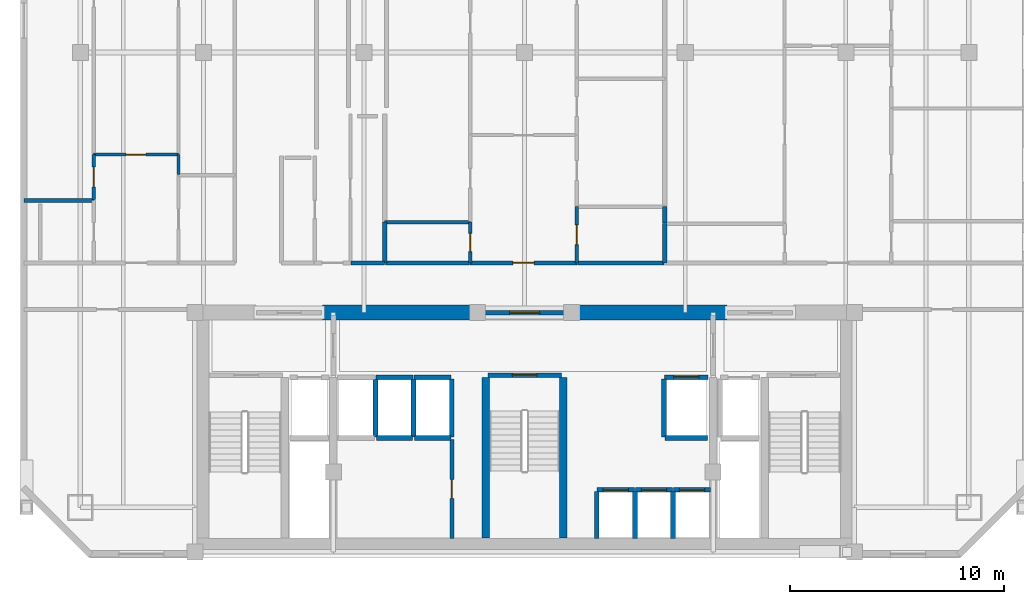
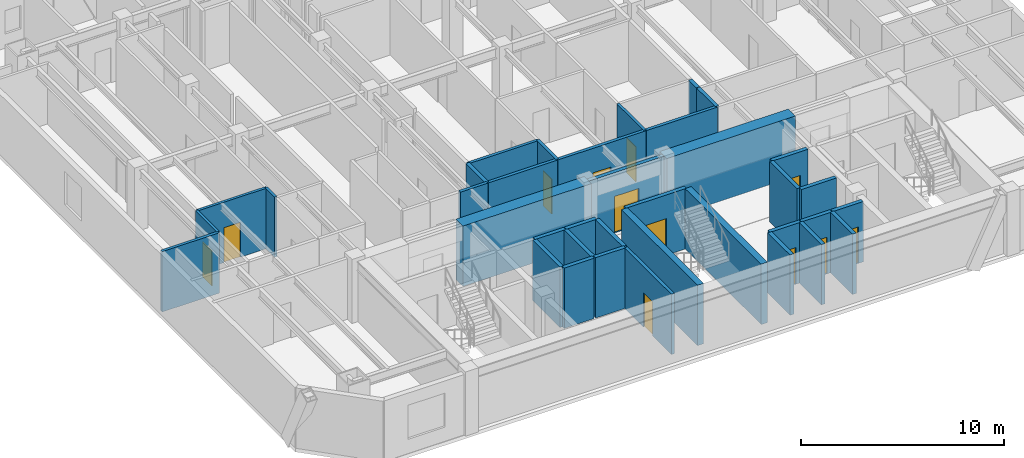
# One storey, part 3 of 8: 37 walls, 12 doors, 12 openings.
"""IFC4 building model written with IfcOpenShell, lengths in metres."""

from ifc_helpers import new_model, si_unit, direction, frame, frame_2d, origin, place, context, subcontext, project, spatial, rectangle, extrude, material, layer, layer_set, type_object, element, fill, save


model = new_model("IFC4")

# Units and contexts
model_context = context("Model", 3, precision=1e-05, world=origin(), true_north=direction((0.0, 1.0)))
body_context = subcontext(model_context, "Body", "Model", "MODEL_VIEW")
ifc_project = project(units=[si_unit("LENGTHUNIT", "METRE"), si_unit("AREAUNIT", "SQUARE_METRE"), si_unit("VOLUMEUNIT", "CUBIC_METRE"), si_unit("PLANEANGLEUNIT", "RADIAN"), si_unit("MASSUNIT", "GRAM", prefix="KILO")], contexts=[model_context])

# Site, building, storey
site_placement = place(None, origin())
site = spatial("IfcSite", under=ifc_project, at=site_placement, CompositionType="ELEMENT")
building_placement = place(site_placement, origin())
building = spatial("IfcBuilding", under=site, at=building_placement, Name="Ventersveld Concourse Tower", CompositionType="ELEMENT")
storey_placement = place(building_placement, frame((0.0, 0.0, 183.699951171875)))
storey = spatial("IfcBuildingStorey", under=building, at=storey_placement, Name="L45", CompositionType="ELEMENT", Elevation=183.699951171875)

# Walls
ifc_material_1 = material(Name="Concrete C60/75", Category="concrete")
ifc_layer_1 = layer(ifc_material_1, 0.35009765625)
ifc_layer_set_1 = layer_set([ifc_layer_1], Name="Concrete C60/75")
wall_type_1 = type_object("IfcWallType", Name="WL-CORE-350L", PredefinedType="SHEAR", material=ifc_layer_set_1)
for number, where, z_axis, x_axis, name in (
    (1, (26.93994140625, 0.919921875, 0.0), (0.0, 0.0, 1.0), (0.0, 1.0, 0.0), "L45 Core Internal Shear Web W-ST3-W"),
    (2, (30.56005859375, 0.919921875, 0.0), (0.0, 0.0, 1.0), (0.0, 1.0, 0.0), "L45 Core Internal Shear Web W-ST3-E"),
):
    element("IfcWall", number, at=place(storey_placement, frame(where, z_axis=z_axis, x_axis=x_axis)), inside=storey, type_object=wall_type_1, Name=name, PredefinedType="SHEAR", context=body_context, shape_type="SweptSolid", body=[
        extrude(rectangle(XDim=7.5, YDim=0.35009765625, at=frame_2d((3.75, 0.0))), origin(), (0.0, 0.0, 1.0), 3.630126953125),
    ])
ifc_layer_2 = layer(ifc_material_1, 0.699951171875)
ifc_layer_set_2 = layer_set([ifc_layer_2], Name="Concrete C60/75")
wall_type_2 = type_object("IfcWallType", Name="WL-CORE-700", PredefinedType="SHEAR", material=ifc_layer_set_2)
for number, where, z_axis, x_axis, name in (
    (3, (19.300048828125, 11.449951171875, 0.0), (0.0, 0.0, 1.0), (1.0, 0.0, 0.0), "L45 Rear Core North Shear Wall NML"),
    (4, (30.89990234375, 11.449951171875, 0.0), (0.0, 0.0, 1.0), (1.0, 0.0, 0.0), "L45 Rear Core North Shear Wall NMR"),
):
    element("IfcWall", number, at=place(storey_placement, frame(where, z_axis=z_axis, x_axis=x_axis)), inside=storey, type_object=wall_type_2, Name=name, PredefinedType="SHEAR", context=body_context, shape_type="SweptSolid", body=[
        extrude(rectangle(XDim=7.300048828125, YDim=0.699951171875, at=frame_2d((3.64990234375, 0.0))), origin(), (0.0, 0.0, 1.0), 3.630126953125),
    ])

# Wall, opening, door
ifc_material_2 = material(Name="Fire-rated autoclaved aerated masonry blockwork", Category="masonry")
ifc_layer_3 = layer(ifc_material_2, 0.179931640625)
ifc_layer_set_3 = layer_set([ifc_layer_3], Name="Fire-rated autoclaved aerated masonry blockwork")
wall_type_3 = type_object("IfcWallType", Name="WL-CORR-180", PredefinedType="PARTITIONING", material=ifc_layer_set_3)
wall_1_placement = place(storey_placement, frame((25.35009765625, 0.89990234375, 0.0), z_axis=(0.0, 0.0, 1.0), x_axis=(0.0, 1.0, 0.0)))
wall_1 = element("IfcWall", 5, at=wall_1_placement, inside=storey, type_object=wall_type_3, Name="L45 Core Passage Wall SP-L45-RECB1A", PredefinedType="PARTITIONING", context=body_context, shape_type="SweptSolid", body=[
    extrude(rectangle(XDim=4.6201171875, YDim=0.179931640625, at=frame_2d((2.31005859375, 0.0))), origin(), (0.0, 0.0, 1.0), 3.630126953125),
])
opening_1_placement = place(wall_1_placement, frame((1.8701171875, 0.0, 0.0)))
opening_1 = element("IfcOpeningElement", 6, at=opening_1_placement, cuts=wall_1, Name="Opening FD5", PredefinedType="OPENING", context=body_context, shape_type="SweptSolid", body=[
    extrude(rectangle(XDim=0.8798828125, YDim=2.050048828125, at=frame_2d((0.43994140625, 1.02490234375))), frame((0.0, 0.10009765625, 0.0), z_axis=(0.0, -1.0, 0.0), x_axis=(1.0, 0.0, 0.0)), (0.0, 0.0, 1.0), 0.199951171875),
])
ifc_material_3 = material(Name="Galvanised painted steel", Category="steel")
door_type_1 = type_object("IfcDoorType", Name="DR-RISER-088", OperationType="NOTDEFINED", PredefinedType="DOOR", material=ifc_material_3)
door_1_placement = place(opening_1_placement, origin())
door_1 = element("IfcDoor", 7, at=door_1_placement, inside=storey, type_object=door_type_1, Name="L45 Core Room Door L45 Reclaimed Core Meeting Pod (CD-L45-2201)", OperationType="SINGLE_SWING_RIGHT", OverallHeight=2.050048828125, OverallWidth=0.8798828125, PredefinedType="DOOR", context=body_context, shape_type="SweptSolid", body=[
    extrude(rectangle(XDim=0.8798828125, YDim=2.050048828125, at=frame_2d((0.43994140625, 1.02490234375))), frame((0.0, 0.02490234375, 0.0), z_axis=(0.0, -1.0, 0.0), x_axis=(1.0, 0.0, 0.0)), (0.0, 0.0, 1.0), 0.050048828125),
])
fill(opening_1, door_1)

# Wall
wall_2_placement = place(storey_placement, frame((20.64501953125, 13.77001953125, 0.0), z_axis=(0.0, 0.0, 1.0), x_axis=(1.0, 0.0, 0.0)))
element("IfcWall", 8, at=wall_2_placement, inside=storey, type_object=wall_type_3, Name="L45 Interior Partition SP-L45-COR-SP-L45-45CW-KIT", PredefinedType="PARTITIONING", context=body_context, shape_type="SweptSolid", body=[
    extrude(rectangle(XDim=1.570068359375, YDim=0.179931640625, at=frame_2d((0.78515625, 0.0))), origin(), (0.0, 0.0, 1.0), 3.630126953125),
])

# Wall, opening, door
wall_3_placement = place(storey_placement, frame((26.201416015625, 13.77001953125, 0.0), z_axis=(0.0, 0.0, 1.0), x_axis=(1.0, 0.0, 0.0)))
wall_3 = element("IfcWall", 9, at=wall_3_placement, inside=storey, type_object=wall_type_3, Name="L45 Interior Partition SP-L45-COR-SP-L45-45CM-FOY", PredefinedType="PARTITIONING", context=body_context, shape_type="SweptSolid", body=[
    extrude(rectangle(XDim=4.989990234375, YDim=0.179931640625, at=frame_2d((2.4951171875, 0.0))), origin(), (0.0, 0.0, 1.0), 3.630126953125),
])
opening_2_placement = place(wall_3_placement, frame((1.9951171875, 0.0, 0.0)))
opening_2 = element("IfcOpeningElement", 10, at=opening_2_placement, cuts=wall_3, Name="Opening FD3", PredefinedType="OPENING", context=body_context, shape_type="SweptSolid", body=[
    extrude(rectangle(XDim=1.0, YDim=2.14990234375, at=frame_2d((0.5, 1.074951171875))), frame((0.0, 0.10009765625, 0.0), z_axis=(0.0, -1.0, 0.0), x_axis=(1.0, 0.0, 0.0)), (0.0, 0.0, 1.0), 0.199951171875),
])
ifc_material_4 = material(Name="Solid-core hardwood veneer timber", Category="wood")
door_type_2 = type_object("IfcDoorType", Name="DR-FLAT-100", OperationType="NOTDEFINED", PredefinedType="DOOR", material=ifc_material_4)
door_2_placement = place(opening_2_placement, origin())
door_2 = element("IfcDoor", 11, at=door_2_placement, inside=storey, type_object=door_type_2, Name="L45 Interior Door SP-L45-COR to SP-L45-45CM-FOY (FD-L45-2207)", OperationType="SINGLE_SWING_LEFT", OverallHeight=2.14990234375, OverallWidth=1.0, PredefinedType="DOOR", context=body_context, shape_type="SweptSolid", body=[
    extrude(rectangle(XDim=1.0, YDim=2.14990234375, at=frame_2d((0.5, 1.074951171875))), frame((0.0, 0.02490234375, 0.0), z_axis=(0.0, -1.0, 0.0), x_axis=(1.0, 0.0, 0.0)), (0.0, 0.0, 1.0), 0.050048828125),
])
fill(opening_2, door_2)

# Walls
wall_4_placement = place(storey_placement, frame((22.2451171875, 13.77001953125, 0.0), z_axis=(0.0, 0.0, 1.0), x_axis=(1.0, 0.0, 0.0)))
element("IfcWall", 12, at=wall_4_placement, inside=storey, type_object=wall_type_3, Name="L45 Interior Partition SP-L45-COR-SP-L45-45CM-BATH", PredefinedType="PARTITIONING", context=body_context, shape_type="SweptSolid", body=[
    extrude(rectangle(XDim=3.92626953125, YDim=0.179931640625, at=frame_2d((1.963134765625, 0.0))), origin(), (0.0, 0.0, 1.0), 3.630126953125),
])
wall_5_placement = place(storey_placement, frame((31.22119140625, 13.77001953125, 0.0), z_axis=(0.0, 0.0, 1.0), x_axis=(1.0, 0.0, 0.0)))
element("IfcWall", 13, at=wall_5_placement, inside=storey, type_object=wall_type_3, Name="L45 Interior Partition SP-L45-COR-SP-L45-45CM-KIT", PredefinedType="PARTITIONING", context=body_context, shape_type="SweptSolid", body=[
    extrude(rectangle(XDim=4.03369140625, YDim=0.179931640625, at=frame_2d((2.016845703125, 0.0))), origin(), (0.0, 0.0, 1.0), 3.630126953125),
])
ifc_layer_4 = layer(ifc_material_2, 0.199951171875)
ifc_layer_set_4 = layer_set([ifc_layer_4], Name="Fire-rated autoclaved aerated masonry blockwork")
wall_type_4 = type_object("IfcWallType", Name="WL-DEMISE-200", PredefinedType="PARTITIONING", material=ifc_layer_set_4)
wall_6_placement = place(storey_placement, frame((22.2099609375, 13.764892578125, 0.0), z_axis=(0.0, 0.0, 1.0), x_axis=(0.0, 1.0, 0.0)))
element("IfcWall", 14, at=wall_6_placement, inside=storey, type_object=wall_type_4, Name="L45 Interior Partition SP-L45-45CW-KIT-SP-L45-45CM-BATH", PredefinedType="PARTITIONING", context=body_context, shape_type="SweptSolid", body=[
    extrude(rectangle(XDim=1.91943359375, YDim=0.199951171875, at=frame_2d((0.959716796875, 0.0))), origin(), (0.0, 0.0, 1.0), 3.630126953125),
])
wall_7_placement = place(storey_placement, frame((35.2900390625, 13.764892578125, 0.0), z_axis=(0.0, 0.0, 1.0), x_axis=(0.0, 1.0, 0.0)))
element("IfcWall", 15, at=wall_7_placement, inside=storey, type_object=wall_type_4, Name="L45 Interior Partition SP-L45-45CE-BATH-SP-L45-45CM-KIT", PredefinedType="PARTITIONING", context=body_context, shape_type="SweptSolid", body=[
    extrude(rectangle(XDim=1.840087890625, YDim=0.199951171875, at=frame_2d((0.919921875, 0.0))), origin(), (0.0, 0.0, 1.0), 3.630126953125),
])
wall_8_placement = place(storey_placement, frame((35.2900390625, 15.635009765625, 0.0), z_axis=(0.0, 0.0, 1.0), x_axis=(0.0, 1.0, 0.0)))
element("IfcWall", 16, at=wall_8_placement, inside=storey, type_object=wall_type_4, Name="L45 Interior Partition SP-L45-45CE-MEDL0-SP-L45-45CM-KIT", PredefinedType="PARTITIONING", context=body_context, shape_type="SweptSolid", body=[
    extrude(rectangle(XDim=0.7666015625, YDim=0.199951171875, at=frame_2d((0.38330078125, 0.0))), origin(), (0.0, 0.0, 1.0), 3.630126953125),
])
ifc_layer_5 = layer(ifc_material_2, 0.219970703125)
ifc_layer_set_5 = layer_set([ifc_layer_5], Name="Fire-rated autoclaved aerated masonry blockwork")
wall_type_5 = type_object("IfcWallType", Name="WL-HOIST-220", PredefinedType="SOLIDWALL", material=ifc_layer_set_5)
wall_9_placement = place(storey_placement, frame((35.300048828125, 5.590087890625, 0.0), z_axis=(0.0, 0.0, 1.0), x_axis=(1.0, 0.0, 0.0)))
element("IfcWall", 17, at=wall_9_placement, inside=storey, type_object=wall_type_5, Name="L45 Lift Hoistway Back Wall SVL-01", PredefinedType="SOLIDWALL", context=body_context, shape_type="SweptSolid", body=[
    extrude(rectangle(XDim=2.0, YDim=0.219970703125, at=frame_2d((1.0, 0.0))), origin(), (0.0, 0.0, 1.0), 3.630126953125),
])
wall_10_placement = place(storey_placement, frame((35.260009765625, 5.64990234375, 0.0), z_axis=(0.0, 0.0, 1.0), x_axis=(0.0, 1.0, 0.0)))
element("IfcWall", 18, at=wall_10_placement, inside=storey, type_object=wall_type_5, Name="L45 Lift Hoistway Side Wall SVL-01W", PredefinedType="SOLIDWALL", context=body_context, shape_type="SweptSolid", body=[
    extrude(rectangle(XDim=2.7001953125, YDim=0.219970703125, at=frame_2d((1.35009765625, 0.0))), origin(), (0.0, 0.0, 1.0), 3.630126953125),
])

# Wall, opening, door
wall_11_placement = place(storey_placement, frame((35.280029296875, 8.429931640625, 0.0), z_axis=(0.0, 0.0, 1.0), x_axis=(1.0, 0.0, 0.0)))
wall_11 = element("IfcWall", 19, at=wall_11_placement, inside=storey, type_object=wall_type_5, Name="L45 Lift Hoistway Front Wall SVL-01", PredefinedType="SOLIDWALL", context=body_context, shape_type="SweptSolid", body=[
    extrude(rectangle(XDim=2.0400390625, YDim=0.219970703125, at=frame_2d((1.02001953125, 0.0))), origin(), (0.0, 0.0, 1.0), 3.630126953125),
])
opening_3_placement = place(wall_11_placement, frame((0.429931640625, 0.0, 0.0)))
opening_3 = element("IfcOpeningElement", 20, at=opening_3_placement, cuts=wall_11, Name="Opening LD2", PredefinedType="OPENING", context=body_context, shape_type="SweptSolid", body=[
    extrude(rectangle(XDim=1.179931640625, YDim=2.199951171875, at=frame_2d((0.58984375, 1.10009765625))), frame((0.0, 0.1201171875, 0.0), z_axis=(0.0, -1.0, 0.0), x_axis=(1.0, 0.0, 0.0)), (0.0, 0.0, 1.0), 0.239990234375),
])
ifc_material_5 = material(Name="Brushed stainless steel 316", Category="steel")
door_type_3 = type_object("IfcDoorType", Name="LD-PAX-118", OperationType="SLIDING_TO_LEFT", PredefinedType="DOOR", material=ifc_material_5)
door_3_placement = place(opening_3_placement, origin())
door_3 = element("IfcDoor", 21, at=door_3_placement, inside=storey, type_object=door_type_3, Name="L45 Lift landing door SVL-01 (LD-L45-SVL-01)", OperationType="SLIDING_TO_LEFT", OverallHeight=2.199951171875, OverallWidth=1.179931640625, PredefinedType="DOOR", context=body_context, shape_type="SweptSolid", body=[
    extrude(rectangle(XDim=1.179931640625, YDim=2.199951171875, at=frame_2d((0.58984375, 1.10009765625))), frame((0.0, 0.02490234375, 0.0), z_axis=(0.0, -1.0, 0.0), x_axis=(1.0, 0.0, 0.0)), (0.0, 0.0, 1.0), 0.050048828125),
])
fill(opening_3, door_3)

# Walls
for number, where, z_axis, x_axis, name in (
    (22, (32.1201171875, 0.89990234375, 0.0), (0.0, 0.0, 1.0), (0.0, 1.0, 0.0), "L45 Lift Hoistway Side Wall PM-01W"),
    (23, (33.89990234375, 0.89990234375, 0.0), (0.0, 0.0, 1.0), (0.0, 1.0, 0.0), "L45 Lift Hoistway Side Wall PM-01E"),
):
    element("IfcWall", number, at=place(storey_placement, frame(where, z_axis=z_axis, x_axis=x_axis)), inside=storey, type_object=wall_type_5, Name=name, PredefinedType="SOLIDWALL", context=body_context, shape_type="SweptSolid", body=[
        extrude(rectangle(XDim=2.2001953125, YDim=0.219970703125, at=frame_2d((1.10009765625, 0.0))), origin(), (0.0, 0.0, 1.0), 3.630126953125),
    ])

# Wall, opening, door
wall_12_placement = place(storey_placement, frame((32.139892578125, 3.179931640625, 0.0), z_axis=(0.0, 0.0, 1.0), x_axis=(1.0, 0.0, 0.0)))
wall_12 = element("IfcWall", 24, at=wall_12_placement, inside=storey, type_object=wall_type_5, Name="L45 Lift Hoistway Front Wall PM-01", PredefinedType="SOLIDWALL", context=body_context, shape_type="SweptSolid", body=[
    extrude(rectangle(XDim=1.739990234375, YDim=0.219970703125, at=frame_2d((0.8701171875, 0.0))), origin(), (0.0, 0.0, 1.0), 3.630126953125),
])
opening_4_placement = place(wall_12_placement, frame((0.280029296875, 0.0, 0.0)))
opening_4 = element("IfcOpeningElement", 25, at=opening_4_placement, cuts=wall_12, Name="Opening LD2", PredefinedType="OPENING", context=body_context, shape_type="SweptSolid", body=[
    extrude(rectangle(XDim=1.179931640625, YDim=2.199951171875, at=frame_2d((0.58984375, 1.10009765625))), frame((0.0, 0.1201171875, 0.0), z_axis=(0.0, -1.0, 0.0), x_axis=(1.0, 0.0, 0.0)), (0.0, 0.0, 1.0), 0.239990234375),
])
door_4_placement = place(opening_4_placement, origin())
door_4 = element("IfcDoor", 26, at=door_4_placement, inside=storey, type_object=door_type_3, Name="L45 Lift landing door PM-01 (LD-L45-PM-01)", OperationType="SLIDING_TO_RIGHT", OverallHeight=2.199951171875, OverallWidth=1.179931640625, PredefinedType="DOOR", context=body_context, shape_type="SweptSolid", body=[
    extrude(rectangle(XDim=1.179931640625, YDim=2.199951171875, at=frame_2d((0.58984375, 1.10009765625))), frame((0.0, 0.02490234375, 0.0), z_axis=(0.0, -1.0, 0.0), x_axis=(1.0, 0.0, 0.0)), (0.0, 0.0, 1.0), 0.050048828125),
])
fill(opening_4, door_4)

# Wall
wall_13_placement = place(storey_placement, frame((35.679931640625, 0.89990234375, 0.0), z_axis=(0.0, 0.0, 1.0), x_axis=(0.0, 1.0, 0.0)))
element("IfcWall", 27, at=wall_13_placement, inside=storey, type_object=wall_type_5, Name="L45 Lift Hoistway Side Wall PM-02E", PredefinedType="SOLIDWALL", context=body_context, shape_type="SweptSolid", body=[
    extrude(rectangle(XDim=2.2001953125, YDim=0.219970703125, at=frame_2d((1.10009765625, 0.0))), origin(), (0.0, 0.0, 1.0), 3.630126953125),
])

# Wall, opening, door
wall_14_placement = place(storey_placement, frame((33.919921875, 3.179931640625, 0.0), z_axis=(0.0, 0.0, 1.0), x_axis=(1.0, 0.0, 0.0)))
wall_14 = element("IfcWall", 28, at=wall_14_placement, inside=storey, type_object=wall_type_5, Name="L45 Lift Hoistway Front Wall PM-02", PredefinedType="SOLIDWALL", context=body_context, shape_type="SweptSolid", body=[
    extrude(rectangle(XDim=1.739990234375, YDim=0.219970703125, at=frame_2d((0.8701171875, 0.0))), origin(), (0.0, 0.0, 1.0), 3.630126953125),
])
opening_5_placement = place(wall_14_placement, frame((0.280029296875, 0.0, 0.0)))
opening_5 = element("IfcOpeningElement", 29, at=opening_5_placement, cuts=wall_14, Name="Opening LD2", PredefinedType="OPENING", context=body_context, shape_type="SweptSolid", body=[
    extrude(rectangle(XDim=1.179931640625, YDim=2.199951171875, at=frame_2d((0.58984375, 1.10009765625))), frame((0.0, 0.1201171875, 0.0), z_axis=(0.0, -1.0, 0.0), x_axis=(1.0, 0.0, 0.0)), (0.0, 0.0, 1.0), 0.239990234375),
])
door_5_placement = place(opening_5_placement, origin())
door_5 = element("IfcDoor", 30, at=door_5_placement, inside=storey, type_object=door_type_3, Name="L45 Lift landing door PM-02 (LD-L45-PM-02)", OperationType="SLIDING_TO_LEFT", OverallHeight=2.199951171875, OverallWidth=1.179931640625, PredefinedType="DOOR", context=body_context, shape_type="SweptSolid", body=[
    extrude(rectangle(XDim=1.179931640625, YDim=2.199951171875, at=frame_2d((0.58984375, 1.10009765625))), frame((0.0, 0.02490234375, 0.0), z_axis=(0.0, -1.0, 0.0), x_axis=(1.0, 0.0, 0.0)), (0.0, 0.0, 1.0), 0.050048828125),
])
fill(opening_5, door_5)

wall_15_placement = place(storey_placement, frame((35.699951171875, 3.179931640625, 0.0), z_axis=(0.0, 0.0, 1.0), x_axis=(1.0, 0.0, 0.0)))
wall_15 = element("IfcWall", 31, at=wall_15_placement, inside=storey, type_object=wall_type_5, Name="L45 Lift Hoistway Front Wall PM-03", PredefinedType="SOLIDWALL", context=body_context, shape_type="SweptSolid", body=[
    extrude(rectangle(XDim=1.739990234375, YDim=0.219970703125, at=frame_2d((0.8701171875, 0.0))), origin(), (0.0, 0.0, 1.0), 3.630126953125),
])
opening_6_placement = place(wall_15_placement, frame((0.280029296875, 0.0, 0.0)))
opening_6 = element("IfcOpeningElement", 32, at=opening_6_placement, cuts=wall_15, Name="Opening LD2", PredefinedType="OPENING", context=body_context, shape_type="SweptSolid", body=[
    extrude(rectangle(XDim=1.179931640625, YDim=2.199951171875, at=frame_2d((0.58984375, 1.10009765625))), frame((0.0, 0.1201171875, 0.0), z_axis=(0.0, -1.0, 0.0), x_axis=(1.0, 0.0, 0.0)), (0.0, 0.0, 1.0), 0.239990234375),
])
door_6_placement = place(opening_6_placement, origin())
door_6 = element("IfcDoor", 33, at=door_6_placement, inside=storey, type_object=door_type_3, Name="L45 Lift landing door PM-03 (LD-L45-PM-03)", OperationType="SLIDING_TO_RIGHT", OverallHeight=2.199951171875, OverallWidth=1.179931640625, PredefinedType="DOOR", context=body_context, shape_type="SweptSolid", body=[
    extrude(rectangle(XDim=1.179931640625, YDim=2.199951171875, at=frame_2d((0.58984375, 1.10009765625))), frame((0.0, 0.02490234375, 0.0), z_axis=(0.0, -1.0, 0.0), x_axis=(1.0, 0.0, 0.0)), (0.0, 0.0, 1.0), 0.050048828125),
])
fill(opening_6, door_6)

# Walls
wall_16_placement = place(storey_placement, frame((21.780029296875, 5.64990234375, 0.0), z_axis=(0.0, 0.0, 1.0), x_axis=(0.0, 1.0, 0.0)))
element("IfcWall", 34, at=wall_16_placement, inside=storey, type_object=wall_type_5, Name="L45 Lift Hoistway Side Wall PH-01E", PredefinedType="SOLIDWALL", context=body_context, shape_type="SweptSolid", body=[
    extrude(rectangle(XDim=2.7001953125, YDim=0.219970703125, at=frame_2d((1.35009765625, 0.0))), origin(), (0.0, 0.0, 1.0), 3.630126953125),
])
wall_17_placement = place(storey_placement, frame((21.820068359375, 5.590087890625, 0.0), z_axis=(0.0, 0.0, 1.0), x_axis=(1.0, 0.0, 0.0)))
element("IfcWall", 35, at=wall_17_placement, inside=storey, type_object=wall_type_5, Name="L45 Lift Hoistway Back Wall PH-02", PredefinedType="SOLIDWALL", context=body_context, shape_type="SweptSolid", body=[
    extrude(rectangle(XDim=1.699951171875, YDim=0.219970703125, at=frame_2d((0.85009765625, 0.0))), origin(), (0.0, 0.0, 1.0), 3.630126953125),
])
wall_18_placement = place(storey_placement, frame((23.56005859375, 5.64990234375, 0.0), z_axis=(0.0, 0.0, 1.0), x_axis=(0.0, 1.0, 0.0)))
element("IfcWall", 36, at=wall_18_placement, inside=storey, type_object=wall_type_5, Name="L45 Lift Hoistway Side Wall PH-02E", PredefinedType="SOLIDWALL", context=body_context, shape_type="SweptSolid", body=[
    extrude(rectangle(XDim=2.7001953125, YDim=0.219970703125, at=frame_2d((1.35009765625, 0.0))), origin(), (0.0, 0.0, 1.0), 3.630126953125),
])
wall_19_placement = place(storey_placement, frame((21.800048828125, 8.429931640625, 0.0), z_axis=(0.0, 0.0, 1.0), x_axis=(1.0, 0.0, 0.0)))
element("IfcWall", 37, at=wall_19_placement, inside=storey, type_object=wall_type_5, Name="L45 Lift Hoistway Front Wall PH-02", PredefinedType="SOLIDWALL", context=body_context, shape_type="SweptSolid", body=[
    extrude(rectangle(XDim=1.739990234375, YDim=0.219970703125, at=frame_2d((0.8701171875, 0.0))), origin(), (0.0, 0.0, 1.0), 3.630126953125),
])
wall_20_placement = place(storey_placement, frame((23.60009765625, 5.590087890625, 0.0), z_axis=(0.0, 0.0, 1.0), x_axis=(1.0, 0.0, 0.0)))
element("IfcWall", 38, at=wall_20_placement, inside=storey, type_object=wall_type_5, Name="L45 Lift Hoistway Back Wall PH-03", PredefinedType="SOLIDWALL", context=body_context, shape_type="SweptSolid", body=[
    extrude(rectangle(XDim=1.699951171875, YDim=0.219970703125, at=frame_2d((0.85009765625, 0.0))), origin(), (0.0, 0.0, 1.0), 3.630126953125),
])
wall_21_placement = place(storey_placement, frame((25.340087890625, 5.64990234375, 0.0), z_axis=(0.0, 0.0, 1.0), x_axis=(0.0, 1.0, 0.0)))
element("IfcWall", 39, at=wall_21_placement, inside=storey, type_object=wall_type_5, Name="L45 Lift Hoistway Side Wall PH-03E", PredefinedType="SOLIDWALL", context=body_context, shape_type="SweptSolid", body=[
    extrude(rectangle(XDim=2.7001953125, YDim=0.219970703125, at=frame_2d((1.35009765625, 0.0))), origin(), (0.0, 0.0, 1.0), 3.630126953125),
])
wall_22_placement = place(storey_placement, frame((23.580078125, 8.429931640625, 0.0), z_axis=(0.0, 0.0, 1.0), x_axis=(1.0, 0.0, 0.0)))
element("IfcWall", 40, at=wall_22_placement, inside=storey, type_object=wall_type_5, Name="L45 Lift Hoistway Front Wall PH-03", PredefinedType="SOLIDWALL", context=body_context, shape_type="SweptSolid", body=[
    extrude(rectangle(XDim=1.739990234375, YDim=0.219970703125, at=frame_2d((0.8701171875, 0.0))), origin(), (0.0, 0.0, 1.0), 3.630126953125),
])

# Wall, opening, door
wall_23_placement = place(storey_placement, frame((27.0400390625, 8.52001953125, 0.0), z_axis=(0.0, 0.0, 1.0), x_axis=(1.0, 0.0, 0.0)))
wall_23 = element("IfcWall", 41, at=wall_23_placement, inside=storey, type_object=wall_type_5, Name="L45 Escape Stair ST03 Fire Wall", PredefinedType="SOLIDWALL", context=body_context, shape_type="SweptSolid", body=[
    extrude(rectangle(XDim=3.419921875, YDim=0.219970703125, at=frame_2d((1.7099609375, 0.0))), origin(), (0.0, 0.0, 1.0), 3.630126953125),
])
opening_7_placement = place(wall_23_placement, frame((1.135009765625, 0.0, 0.0)))
opening_7 = element("IfcOpeningElement", 42, at=opening_7_placement, cuts=wall_23, Name="Opening FD1", PredefinedType="OPENING", context=body_context, shape_type="SweptSolid", body=[
    extrude(rectangle(XDim=1.14990234375, YDim=2.199951171875, at=frame_2d((0.574951171875, 1.10009765625))), frame((0.0, 0.1201171875, 0.0), z_axis=(0.0, -1.0, 0.0), x_axis=(1.0, 0.0, 0.0)), (0.0, 0.0, 1.0), 0.239990234375),
])
door_type_4 = type_object("IfcDoorType", Name="DR-STAIR-115", OperationType="NOTDEFINED", PredefinedType="DOOR", material=ifc_material_3)
door_7_placement = place(opening_7_placement, origin())
door_7 = element("IfcDoor", 43, at=door_7_placement, inside=storey, type_object=door_type_4, Name="L45 Escape Stair Door ST03 (SD-L45-2195)", OperationType="SINGLE_SWING_LEFT", OverallHeight=2.199951171875, OverallWidth=1.14990234375, PredefinedType="DOOR", context=body_context, shape_type="SweptSolid", body=[
    extrude(rectangle(XDim=1.14990234375, YDim=2.199951171875, at=frame_2d((0.574951171875, 1.10009765625))), frame((0.0, 0.02490234375, 0.0), z_axis=(0.0, -1.0, 0.0), x_axis=(1.0, 0.0, 0.0)), (0.0, 0.0, 1.0), 0.050048828125),
])
fill(opening_7, door_7)

wall_24_placement = place(storey_placement, frame((26.6298828125, 11.449951171875, 0.0), z_axis=(0.0, 0.0, 1.0), x_axis=(1.0, 0.0, 0.0)))
wall_24 = element("IfcWall", 44, at=wall_24_placement, inside=storey, type_object=wall_type_5, Name="L45 Core North Fire Portal PLOB-OUT", PredefinedType="SOLIDWALL", context=body_context, shape_type="SweptSolid", body=[
    extrude(rectangle(XDim=4.240234375, YDim=0.219970703125, at=frame_2d((2.1201171875, 0.0))), origin(), (0.0, 0.0, 1.0), 3.630126953125),
])
opening_8_placement = place(wall_24_placement, frame((1.419921875, 0.0, 0.0)))
opening_8 = element("IfcOpeningElement", 45, at=opening_8_placement, cuts=wall_24, Name="Opening FD4", PredefinedType="OPENING", context=body_context, shape_type="SweptSolid", body=[
    extrude(rectangle(XDim=1.39990234375, YDim=2.199951171875, at=frame_2d((0.699951171875, 1.10009765625))), frame((0.0, 0.1201171875, 0.0), z_axis=(0.0, -1.0, 0.0), x_axis=(1.0, 0.0, 0.0)), (0.0, 0.0, 1.0), 0.239990234375),
])
door_type_5 = type_object("IfcDoorType", Name="DR-PLANT-140", OperationType="DOUBLE_DOOR_SINGLE_SWING", PredefinedType="DOOR", material=ifc_material_3)
door_8_placement = place(opening_8_placement, origin())
door_8 = element("IfcDoor", 46, at=door_8_placement, inside=storey, type_object=door_type_5, Name="L45 Core Lobby Fire Door PLOB-OUT (FD-L45-2199)", OperationType="DOUBLE_DOOR_SINGLE_SWING", OverallHeight=2.199951171875, OverallWidth=1.39990234375, PredefinedType="DOOR", context=body_context, shape_type="SweptSolid", body=[
    extrude(rectangle(XDim=1.39990234375, YDim=2.199951171875, at=frame_2d((0.699951171875, 1.10009765625))), frame((0.0, 0.02490234375, 0.0), z_axis=(0.0, -1.0, 0.0), x_axis=(1.0, 0.0, 0.0)), (0.0, 0.0, 1.0), 0.050048828125),
])
fill(opening_8, door_8)

ifc_material_6 = material(Name="Autoclaved aerated masonry blockwork", Category="masonry")
ifc_layer_6 = layer(ifc_material_6, 0.14990234375)
ifc_layer_set_6 = layer_set([ifc_layer_6], Name="Autoclaved aerated masonry blockwork")
wall_type_6 = type_object("IfcWallType", Name="WL-INT-150", PredefinedType="PARTITIONING", material=ifc_layer_set_6)
wall_25_placement = place(storey_placement, frame((8.6162109375, 18.83349609375, 0.0), z_axis=(0.0, 0.0, 1.0), x_axis=(1.0, 0.0, 0.0)))
wall_25 = element("IfcWall", 47, at=wall_25_placement, inside=storey, type_object=wall_type_6, Name="L45 Interior Partition SP-L45-45NW-FOY-SP-L45-45NW-LIV", PredefinedType="PARTITIONING", context=body_context, shape_type="SweptSolid", body=[
    extrude(rectangle(XDim=3.969970703125, YDim=0.14990234375, at=frame_2d((1.98486328125, 0.0))), origin(), (0.0, 0.0, 1.0), 3.630126953125),
])
opening_9_placement = place(wall_25_placement, frame((1.52490234375, 0.0, 0.0)))
opening_9 = element("IfcOpeningElement", 48, at=opening_9_placement, cuts=wall_25, Name="Opening ID1", PredefinedType="OPENING", context=body_context, shape_type="SweptSolid", body=[
    extrude(rectangle(XDim=0.919921875, YDim=2.10009765625, at=frame_2d((0.4599609375, 1.050048828125))), frame((0.0, 0.0849609375, 0.0), z_axis=(0.0, -1.0, 0.0), x_axis=(1.0, 0.0, 0.0)), (0.0, 0.0, 1.0), 0.169921875),
])
door_type_6 = type_object("IfcDoorType", Name="DR-ROOM-092", OperationType="NOTDEFINED", PredefinedType="DOOR", material=ifc_material_4)
door_9_placement = place(opening_9_placement, origin())
door_9 = element("IfcDoor", 49, at=door_9_placement, inside=storey, type_object=door_type_6, Name="L45 Interior Door SP-L45-45NW-FOY to SP-L45-45NW-LIV (D-L45-2208)", OperationType="SINGLE_SWING_RIGHT", OverallHeight=2.10009765625, OverallWidth=0.919921875, PredefinedType="DOOR", context=body_context, shape_type="SweptSolid", body=[
    extrude(rectangle(XDim=0.919921875, YDim=2.10009765625, at=frame_2d((0.4599609375, 1.050048828125))), frame((0.0, 0.02490234375, 0.0), z_axis=(0.0, -1.0, 0.0), x_axis=(1.0, 0.0, 0.0)), (0.0, 0.0, 1.0), 0.050048828125),
])
fill(opening_9, door_9)

wall_26_placement = place(storey_placement, frame((8.621337890625, 16.72216796875, 0.0), z_axis=(0.0, 0.0, 1.0), x_axis=(0.0, 1.0, 0.0)))
wall_26 = element("IfcWall", 50, at=wall_26_placement, inside=storey, type_object=wall_type_6, Name="L45 Interior Partition SP-L45-45NW-FOY-SP-L45-45NW-MEDL0", PredefinedType="PARTITIONING", context=body_context, shape_type="SweptSolid", body=[
    extrude(rectangle(XDim=2.1162109375, YDim=0.14990234375, at=frame_2d((1.05810546875, 0.0))), origin(), (0.0, 0.0, 1.0), 3.630126953125),
])
opening_10_placement = place(wall_26_placement, frame((0.59814453125, 0.0, 0.0)))
opening_10 = element("IfcOpeningElement", 51, at=opening_10_placement, cuts=wall_26, Name="Opening ID1", PredefinedType="OPENING", context=body_context, shape_type="SweptSolid", body=[
    extrude(rectangle(XDim=0.919921875, YDim=2.10009765625, at=frame_2d((0.4599609375, 1.050048828125))), frame((0.0, 0.0849609375, 0.0), z_axis=(0.0, -1.0, 0.0), x_axis=(1.0, 0.0, 0.0)), (0.0, 0.0, 1.0), 0.169921875),
])
door_10_placement = place(opening_10_placement, origin())
door_10 = element("IfcDoor", 52, at=door_10_placement, inside=storey, type_object=door_type_6, Name="L45 Interior Door SP-L45-45NW-FOY to SP-L45-45NW-MEDL0 (D-L45-2210)", OperationType="SINGLE_SWING_RIGHT", OverallHeight=2.10009765625, OverallWidth=0.919921875, PredefinedType="DOOR", context=body_context, shape_type="SweptSolid", body=[
    extrude(rectangle(XDim=0.919921875, YDim=2.10009765625, at=frame_2d((0.4599609375, 1.050048828125))), frame((0.0, 0.02490234375, 0.0), z_axis=(0.0, -1.0, 0.0), x_axis=(1.0, 0.0, 0.0)), (0.0, 0.0, 1.0), 0.050048828125),
])
fill(opening_10, door_10)

# Wall
wall_27_placement = place(storey_placement, frame((12.581298828125, 17.905517578125, 0.0), z_axis=(0.0, 0.0, 1.0), x_axis=(0.0, 1.0, 0.0)))
element("IfcWall", 53, at=wall_27_placement, inside=storey, type_object=wall_type_6, Name="L45 Interior Partition SP-L45-45NW-FOY-SP-L45-45NW-DENR", PredefinedType="PARTITIONING", context=body_context, shape_type="SweptSolid", body=[
    extrude(rectangle(XDim=0.932861328125, YDim=0.14990234375, at=frame_2d((0.46630859375, 0.0))), origin(), (0.0, 0.0, 1.0), 3.630126953125),
])

# Wall, opening, door
wall_28_placement = place(storey_placement, frame((31.186279296875, 13.764892578125, 0.0), z_axis=(0.0, 0.0, 1.0), x_axis=(0.0, 1.0, 0.0)))
wall_28 = element("IfcWall", 54, at=wall_28_placement, inside=storey, type_object=wall_type_6, Name="L45 Interior Partition SP-L45-45CM-FOY-SP-L45-45CM-KIT", PredefinedType="PARTITIONING", context=body_context, shape_type="SweptSolid", body=[
    extrude(rectangle(XDim=2.63671875, YDim=0.14990234375, at=frame_2d((1.318359375, 0.0))), origin(), (0.0, 0.0, 1.0), 3.630126953125),
])
opening_11_placement = place(wall_28_placement, frame((0.8583984375, 0.0, 0.0)))
opening_11 = element("IfcOpeningElement", 55, at=opening_11_placement, cuts=wall_28, Name="Opening ID1", PredefinedType="OPENING", context=body_context, shape_type="SweptSolid", body=[
    extrude(rectangle(XDim=0.919921875, YDim=2.10009765625, at=frame_2d((0.4599609375, 1.050048828125))), frame((0.0, 0.0849609375, 0.0), z_axis=(0.0, -1.0, 0.0), x_axis=(1.0, 0.0, 0.0)), (0.0, 0.0, 1.0), 0.169921875),
])
door_11_placement = place(opening_11_placement, origin())
door_11 = element("IfcDoor", 56, at=door_11_placement, inside=storey, type_object=door_type_6, Name="L45 Interior Door SP-L45-45CM-FOY to SP-L45-45CM-KIT (D-L45-2234)", OperationType="SINGLE_SWING_RIGHT", OverallHeight=2.10009765625, OverallWidth=0.919921875, PredefinedType="DOOR", context=body_context, shape_type="SweptSolid", body=[
    extrude(rectangle(XDim=0.919921875, YDim=2.10009765625, at=frame_2d((0.4599609375, 1.050048828125))), frame((0.0, 0.02490234375, 0.0), z_axis=(0.0, -1.0, 0.0), x_axis=(1.0, 0.0, 0.0)), (0.0, 0.0, 1.0), 0.050048828125),
])
fill(opening_11, door_11)

# Wall
ifc_layer_7 = layer(ifc_material_6, 0.1650390625)
ifc_layer_set_7 = layer_set([ifc_layer_7], Name="Autoclaved aerated masonry blockwork")
wall_type_7 = type_object("IfcWallType", Name="WL-WET-165", PredefinedType="PLUMBINGWALL", material=ifc_layer_set_7)
wall_29_placement = place(storey_placement, frame((5.37255859375, 16.68701171875, 0.0), z_axis=(0.0, 0.0, 1.0), x_axis=(1.0, 0.0, 0.0)))
element("IfcWall", 57, at=wall_29_placement, inside=storey, type_object=wall_type_7, Name="L45 Interior Partition SP-L45-45NW-BATH-SP-L45-45NW-MEDL0", PredefinedType="PLUMBINGWALL", context=body_context, shape_type="SweptSolid", body=[
    extrude(rectangle(XDim=3.253662109375, YDim=0.1650390625, at=frame_2d((1.626953125, 0.0))), origin(), (0.0, 0.0, 1.0), 3.630126953125),
])

# Wall, opening, door
wall_30_placement = place(storey_placement, frame((26.206298828125, 13.764892578125, 0.0), z_axis=(0.0, 0.0, 1.0), x_axis=(0.0, 1.0, 0.0)))
wall_30 = element("IfcWall", 58, at=wall_30_placement, inside=storey, type_object=wall_type_7, Name="L45 Interior Partition SP-L45-45CM-FOY-SP-L45-45CM-BATH", PredefinedType="PLUMBINGWALL", context=body_context, shape_type="SweptSolid", body=[
    extrude(rectangle(XDim=1.91943359375, YDim=0.1650390625, at=frame_2d((0.959716796875, 0.0))), origin(), (0.0, 0.0, 1.0), 3.630126953125),
])
opening_12_placement = place(wall_30_placement, frame((0.53466796875, 0.0, 0.0)))
opening_12 = element("IfcOpeningElement", 59, at=opening_12_placement, cuts=wall_30, Name="Opening ID2", PredefinedType="OPENING", context=body_context, shape_type="SweptSolid", body=[
    extrude(rectangle(XDim=0.85009765625, YDim=2.10009765625, at=frame_2d((0.425048828125, 1.050048828125))), frame((0.0, 0.092529296875, 0.0), z_axis=(0.0, -1.0, 0.0), x_axis=(1.0, 0.0, 0.0)), (0.0, 0.0, 1.0), 0.18505859375),
])
door_type_7 = type_object("IfcDoorType", Name="DR-BATH-085", OperationType="NOTDEFINED", PredefinedType="DOOR", material=ifc_material_4)
door_12_placement = place(opening_12_placement, origin())
door_12 = element("IfcDoor", 60, at=door_12_placement, inside=storey, type_object=door_type_7, Name="L45 Interior Door SP-L45-45CM-FOY to SP-L45-45CM-BATH (D-L45-2232)", OperationType="SINGLE_SWING_RIGHT", OverallHeight=2.10009765625, OverallWidth=0.85009765625, PredefinedType="DOOR", context=body_context, shape_type="SweptSolid", body=[
    extrude(rectangle(XDim=0.85009765625, YDim=2.10009765625, at=frame_2d((0.425048828125, 1.050048828125))), frame((0.0, 0.02490234375, 0.0), z_axis=(0.0, -1.0, 0.0), x_axis=(1.0, 0.0, 0.0)), (0.0, 0.0, 1.0), 0.050048828125),
])
fill(opening_12, door_12)

# Wall
wall_31_placement = place(storey_placement, frame((22.205078125, 15.679443359375, 0.0), z_axis=(0.0, 0.0, 1.0), x_axis=(1.0, 0.0, 0.0)))
element("IfcWall", 61, at=wall_31_placement, inside=storey, type_object=wall_type_7, Name="L45 Interior Partition SP-L45-45CM-BATH-SP-L45-45CM-DENL", PredefinedType="PLUMBINGWALL", context=body_context, shape_type="SweptSolid", body=[
    extrude(rectangle(XDim=4.006103515625, YDim=0.1650390625, at=frame_2d((2.0029296875, 0.0))), origin(), (0.0, 0.0, 1.0), 3.630126953125),
])

save(model, "model.ifc")
